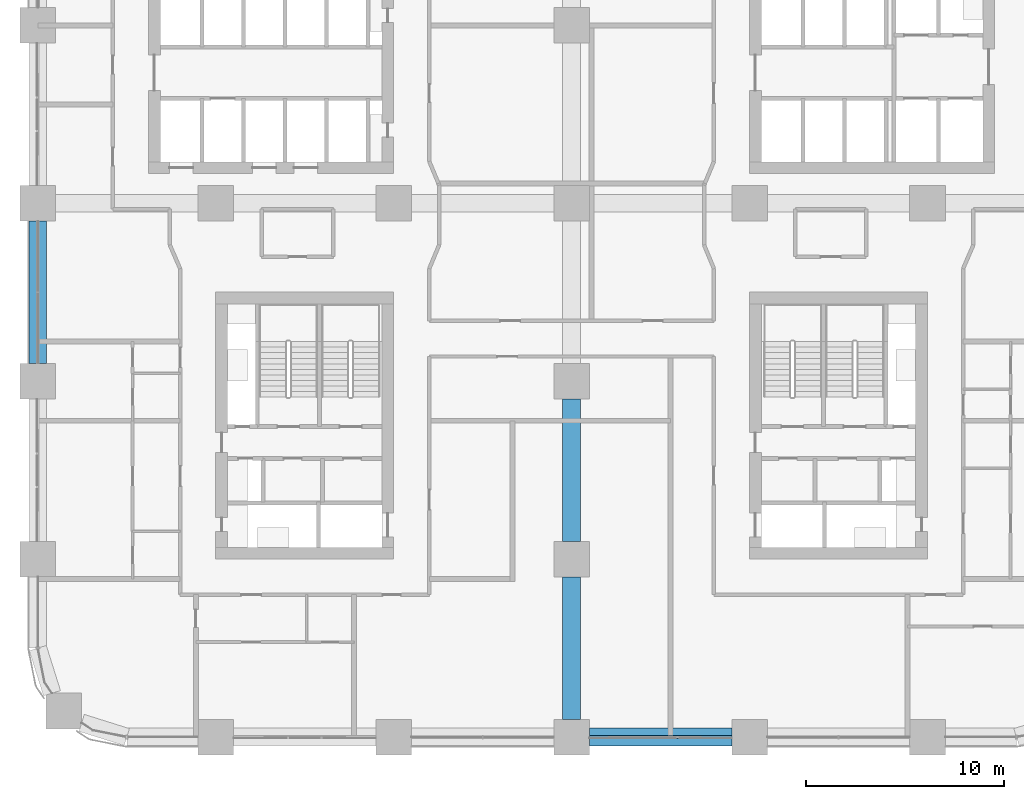
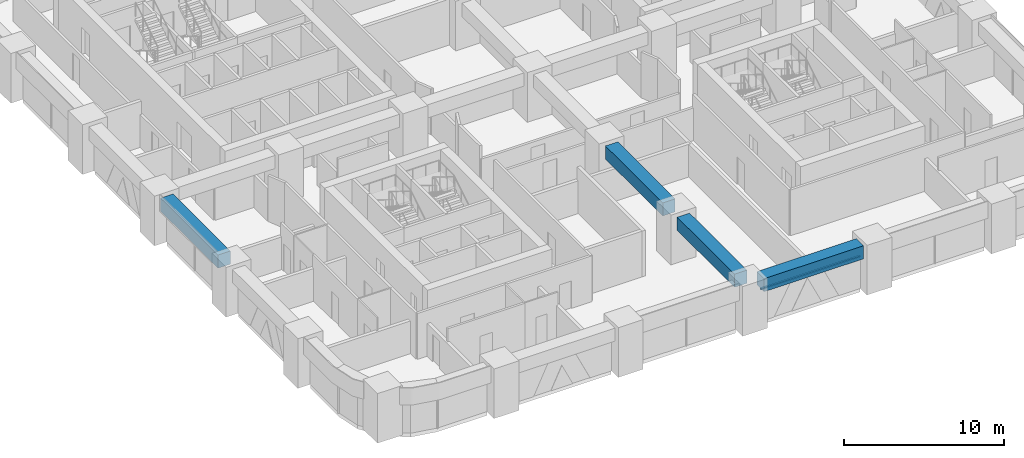
# One storey, part 3 of 23: 4 beams, 1 member, 1 element without a shape of its own.
"""IFC4 building model written with IfcOpenShell, lengths in metres."""

from ifc_helpers import new_model, si_unit, direction, frame, origin, origin_2d, place, context, subcontext, project, spatial, rectangle, extrude, material, material_profile, profile_set, type_object, element, aggregate, save


model = new_model("IFC4")

# Units and contexts
model_context = context("Model", 3, precision=1e-05, world=origin(), true_north=direction((0.0, 1.0)))
body_context = subcontext(model_context, "Body", "Model", "MODEL_VIEW")
ifc_project = project(units=[si_unit("LENGTHUNIT", "METRE"), si_unit("AREAUNIT", "SQUARE_METRE"), si_unit("VOLUMEUNIT", "CUBIC_METRE"), si_unit("PLANEANGLEUNIT", "RADIAN"), si_unit("MASSUNIT", "GRAM", prefix="KILO")], contexts=[model_context])

# Site, building, storey
site_placement = place(None, origin())
site = spatial("IfcSite", under=ifc_project, at=site_placement, CompositionType="ELEMENT")
building_placement = place(site_placement, origin())
building = spatial("IfcBuilding", under=site, at=building_placement, Name="Tessera Arch", CompositionType="ELEMENT")
storey_placement = place(building_placement, frame((0.0, 0.0, 34.800048828125)))
storey = spatial("IfcBuildingStorey", under=building, at=storey_placement, Name="L06", CompositionType="ELEMENT", Elevation=34.800048828125)

# Curtain wall, member
ifc_material_1 = material(Name="CW3 curtain wall")
curtain_wall_type = type_object("IfcCurtainWallType", Name="CW3 curtain wall", PredefinedType="NOTDEFINED", material=ifc_material_1)
curtain_wall_placement = place(storey_placement, origin())
curtain_wall = element("IfcCurtainWall", 1, at=curtain_wall_placement, inside=storey, type_object=curtain_wall_type, Name="CW3 curtain wall S0.0/2 L06", PredefinedType="NOTDEFINED")
ifc_material_2 = material(Name="Anodised aluminium pale metal", Category="aluminium")
ifc_material_profile_1 = material_profile(ifc_material_2, rectangle(XDim=0.139892578125, YDim=0.10009765625, at=origin_2d()), Name="AL 140x100")
ifc_profile_set_1 = profile_set([ifc_material_profile_1], Name="Anodised aluminium pale metal")
member_type = type_object("IfcMemberType", Name="CW3 transom", PredefinedType="USERDEFINED", material=ifc_profile_set_1)
member_placement = place(storey_placement, frame((27.89990234375, 0.0, 2.449951171875), z_axis=(1.0, 0.0, 0.0), x_axis=(0.0, 1.0, 0.0)))
member = element("IfcMember", 2, at=member_placement, type_object=member_type, Name="CW3 transom S0.0/2 1.1", ObjectType="TRANSOM", PredefinedType="USERDEFINED", context=body_context, shape_type="SweptSolid", body=[
    extrude(rectangle(XDim=0.139892578125, YDim=0.10009765625, at=origin_2d()), origin(), (0.0, 0.0, 1.0), 7.2001953125),
])
aggregate(curtain_wall, [member])

# Beams
ifc_material_3 = material(Name="Concrete C80/95", Category="concrete")
ifc_material_profile_2 = material_profile(ifc_material_3, rectangle(XDim=0.89990234375, YDim=1.0, at=origin_2d()), Name="RC spandrel beam 900 x 1000 Concrete C80/95")
ifc_profile_set_2 = profile_set([ifc_material_profile_2], Name="Concrete C80/95")
beam_type = type_object("IfcBeamType", Name="RC spandrel beam 900 x 1000 Concrete C80/95", PredefinedType="BEAM", material=ifc_profile_set_2)
for number, where, z_axis, x_axis, name in (
    (3, (27.89990234375, 0.0, 3.0), (1.0, 0.0, 0.0), (0.0, 1.0, 0.0), "Spandrel beam L06 S0.0/2"),
    (4, (0.0, 26.10009765625, 3.0), (0.0, -1.0, 0.0), (1.0, 0.0, 0.0), "Spandrel beam L06 W0.0/3"),
    (5, (27.0, 0.89990234375, 3.0), (0.0, 1.0, 0.0), (-1.0, 0.0, 0.0), "Interface beam L06 I0C4A-C4B"),
    (6, (27.0, 9.89990234375, 3.0), (0.0, 1.0, 0.0), (-1.0, 0.0, 0.0), "Interface beam L06 I0C4B-C4C"),
):
    element("IfcBeam", number, at=place(storey_placement, frame(where, z_axis=z_axis, x_axis=x_axis)), inside=storey, type_object=beam_type, Name=name, PredefinedType="BEAM", context=body_context, shape_type="SweptSolid", body=[
        extrude(rectangle(XDim=0.89990234375, YDim=1.0, at=origin_2d()), origin(), (0.0, 0.0, 1.0), 7.2001953125),
    ])

save(model, "model.ifc")
